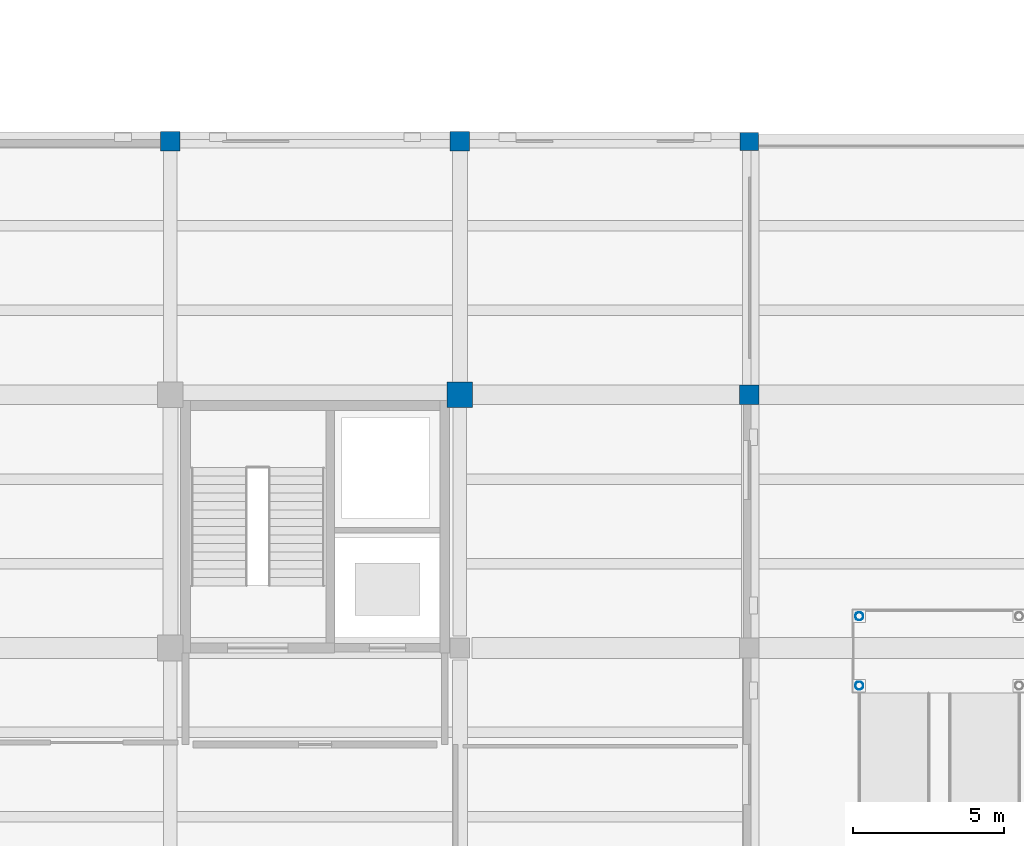
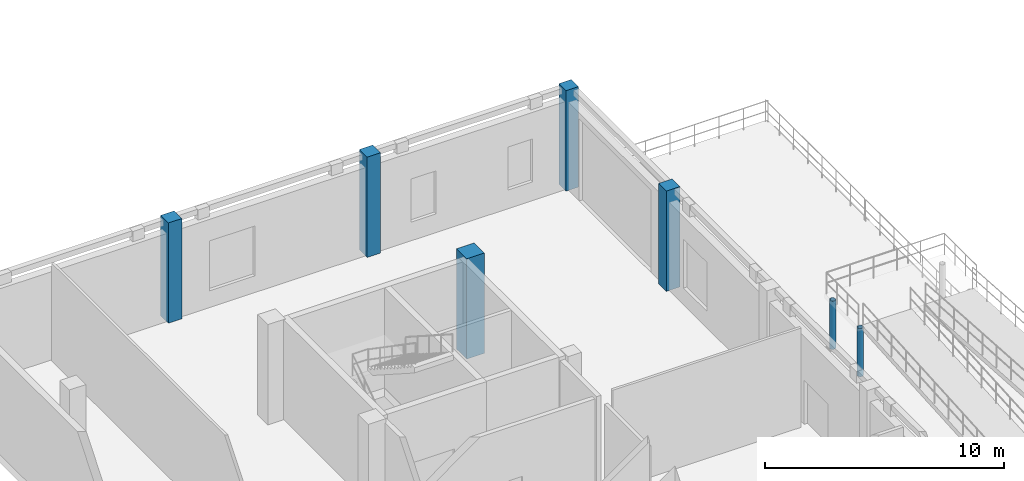
# One storey, part 11 of 71: 7 columns.
"""IFC4 building model written with IfcOpenShell, lengths in metres."""

from ifc_helpers import new_model, si_unit, direction, frame, origin, origin_2d, place, context, subcontext, project, spatial, rectangle, hollow_circle, extrude, material, material_profile, profile_set, type_object, element, save


model = new_model("IFC4")

# Units and contexts
model_context = context("Model", 3, precision=1e-05, world=origin(), true_north=direction((0.0, 1.0)))
body_context = subcontext(model_context, "Body", "Model", "MODEL_VIEW")
ifc_project = project(units=[si_unit("LENGTHUNIT", "METRE"), si_unit("AREAUNIT", "SQUARE_METRE"), si_unit("VOLUMEUNIT", "CUBIC_METRE"), si_unit("PLANEANGLEUNIT", "RADIAN"), si_unit("MASSUNIT", "GRAM", prefix="KILO")], contexts=[model_context])

# Site, building, storey
site_placement = place(None, origin())
site = spatial("IfcSite", under=ifc_project, at=site_placement, CompositionType="ELEMENT")
building_placement = place(site_placement, origin())
building = spatial("IfcBuilding", under=site, at=building_placement, Name="Lornevale Opera House", CompositionType="ELEMENT")
storey_placement = place(building_placement, origin())
storey = spatial("IfcBuildingStorey", under=building, at=storey_placement, Name="L01", CompositionType="ELEMENT", Elevation=0.0)

# Columns
ifc_material_1 = material(Name="Concrete 35 MPa (CSA A23.1 N)", Category="concrete")
ifc_material_profile_1 = material_profile(ifc_material_1, rectangle(XDim=0.60009765625, YDim=0.60009765625, at=origin_2d()), Name="RC600x600")
ifc_profile_set_1 = profile_set([ifc_material_profile_1], Name="Concrete 35 MPa (CSA A23.1 N)")
column_type_1 = type_object("IfcColumnType", Name="Concrete Column 600x600", PredefinedType="COLUMN", material=ifc_profile_set_1)
column_1_placement = place(storey_placement, frame((153.60009765625, 84.0, 0.0), z_axis=(0.0, 0.0, 1.0), x_axis=(1.0, 0.0, 0.0)))
element("IfcColumn", 1, at=column_1_placement, inside=storey, type_object=column_type_1, Name="Concrete Column 600x600 1074", PredefinedType="COLUMN", context=body_context, shape_type="SweptSolid", body=[
    extrude(rectangle(XDim=0.60009765625, YDim=0.60009765625, at=origin_2d()), origin(), (0.0, 0.0, 1.0), 5.1298828125),
])
ifc_material_2 = material(Name="Concrete 40 MPa (CSA A23.1 C-1)", Category="concrete")
ifc_material_profile_2 = material_profile(ifc_material_2, rectangle(XDim=0.64990234375, YDim=0.64990234375, at=origin_2d()), Name="RC650x650")
ifc_profile_set_2 = profile_set([ifc_material_profile_2], Name="Concrete 40 MPa (CSA A23.1 C-1)")
column_type_2 = type_object("IfcColumnType", Name="Concrete Column 650x650", PredefinedType="COLUMN", material=ifc_profile_set_2)
for number, where, z_axis, x_axis, name in (
    (2, (134.39990234375, 84.0, 0.0), (0.0, 0.0, 1.0), (1.0, 0.0, 0.0), "Concrete Column 650x650 0972"),
    (3, (144.0, 84.0, 0.0), (0.0, 0.0, 1.0), (1.0, 0.0, 0.0), "Concrete Column 650x650 1035"),
    (4, (153.60009765625, 75.60009765625, 0.0), (0.0, 0.0, 1.0), (1.0, 0.0, 0.0), "Concrete Column 650x650 1070"),
):
    element("IfcColumn", number, at=place(storey_placement, frame(where, z_axis=z_axis, x_axis=x_axis)), inside=storey, type_object=column_type_2, Name=name, PredefinedType="COLUMN", context=body_context, shape_type="SweptSolid", body=[
        extrude(rectangle(XDim=0.64990234375, YDim=0.64990234375, at=origin_2d()), origin(), (0.0, 0.0, 1.0), 5.1201171875),
    ])
ifc_material_profile_3 = material_profile(ifc_material_2, rectangle(XDim=0.85009765625, YDim=0.85009765625, at=origin_2d()), Name="RC850x850")
ifc_profile_set_3 = profile_set([ifc_material_profile_3], Name="Concrete 40 MPa (CSA A23.1 C-1)")
column_type_3 = type_object("IfcColumnType", Name="Concrete Column 850x850", PredefinedType="COLUMN", material=ifc_profile_set_3)
column_2_placement = place(storey_placement, frame((144.0, 75.60009765625, 0.0), z_axis=(0.0, 0.0, 1.0), x_axis=(1.0, 0.0, 0.0)))
element("IfcColumn", 5, at=column_2_placement, inside=storey, type_object=column_type_3, Name="Concrete Column 850x850 1027", PredefinedType="COLUMN", context=body_context, shape_type="SweptSolid", body=[
    extrude(rectangle(XDim=0.85009765625, YDim=0.85009765625, at=origin_2d()), origin(), (0.0, 0.0, 1.0), 5.1201171875),
])
ifc_material_3 = material(Name="Structural Steel CSA G40.21 Grade 350W (350 MPa)", Category="steel")
ifc_material_profile_4 = material_profile(ifc_material_3, hollow_circle(Radius=0.136474609375, WallThickness=0.010986328125, at=origin_2d()), Name="HSS273x11")
ifc_profile_set_4 = profile_set([ifc_material_profile_4], Name="Structural Steel CSA G40.21 Grade 350W (350 MPa)")
column_type_4 = type_object("IfcColumnType", Name="Promenade Ramp Mast HSS273x11", PredefinedType="COLUMN", material=ifc_profile_set_4)
for number, where, z_axis, x_axis, name in (
    (6, (157.25, 65.949951171875, 0.0), (0.0, 0.0, 1.0), (1.0, 0.0, 0.0), "Parterre Ramp Mast L01 1140"),
    (7, (157.25, 68.25, 0.0), (0.0, 0.0, 1.0), (1.0, 0.0, 0.0), "Parterre Ramp Mast L01 1143"),
):
    element("IfcColumn", number, at=place(storey_placement, frame(where, z_axis=z_axis, x_axis=x_axis)), inside=storey, type_object=column_type_4, Name=name, PredefinedType="COLUMN", context=body_context, shape_type="SweptSolid", body=[
        extrude(hollow_circle(Radius=0.136474609375, WallThickness=0.010986328125, at=origin_2d()), origin(), (0.0, 0.0, 1.0), 2.4599609375),
    ])

save(model, "model.ifc")
